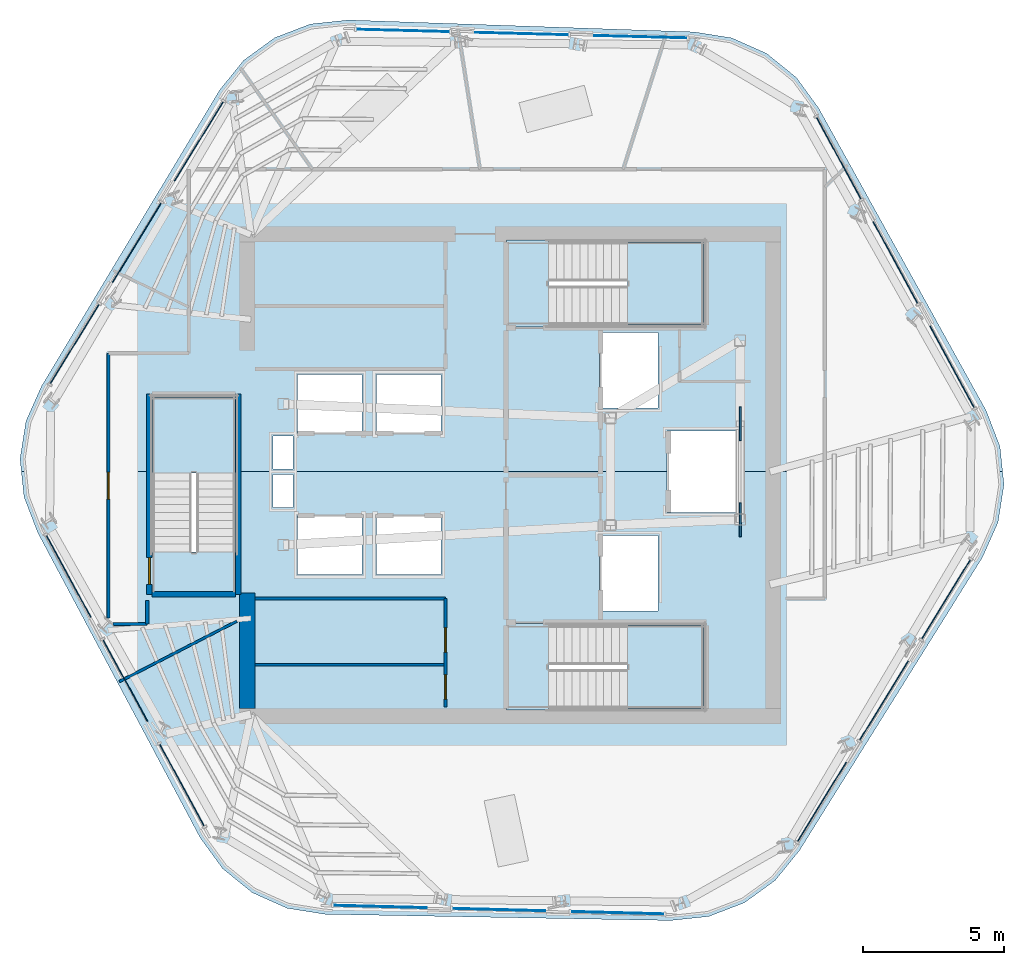
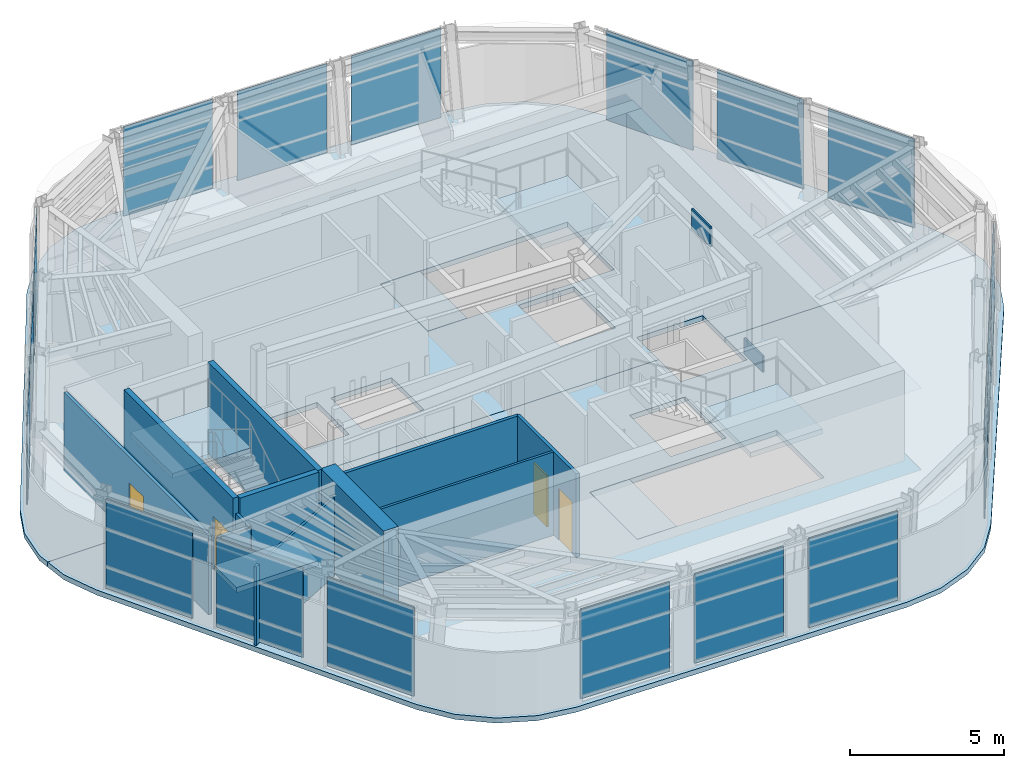
# One storey, part 6 of 13: 20 plates, 11 walls, 8 slabs, 4 doors, 4 openings, 9 elements without a shape of their own.
"""IFC4 building model written with IfcOpenShell, lengths in metres."""

from ifc_helpers import new_model, si_unit, direction, frame, frame_2d, origin, origin_2d, place, context, subcontext, project, spatial, polyline, rectangle, outline, extrude, material, layer, layer_set, type_object, element, fill, aggregate, save


model = new_model("IFC4")

# Units and contexts
model_context = context("Model", 3, precision=1e-05, world=origin(), true_north=direction((0.0, 1.0)))
body_context = subcontext(model_context, "Body", "Model", "MODEL_VIEW")
ifc_project = project(units=[si_unit("LENGTHUNIT", "METRE"), si_unit("AREAUNIT", "SQUARE_METRE"), si_unit("VOLUMEUNIT", "CUBIC_METRE"), si_unit("PLANEANGLEUNIT", "RADIAN"), si_unit("MASSUNIT", "GRAM", prefix="KILO")], contexts=[model_context])

# Site, building, storey
site_placement = place(None, origin())
site = spatial("IfcSite", under=ifc_project, at=site_placement, CompositionType="ELEMENT")
building_placement = place(site_placement, origin())
building = spatial("IfcBuilding", under=site, at=building_placement, Name="Valkerne Bourse Tower", CompositionType="ELEMENT")
storey_placement = place(building_placement, frame((0.0, 0.0, 277.39990234375)))
storey = spatial("IfcBuildingStorey", under=building, at=storey_placement, Name="L70", CompositionType="ELEMENT", Elevation=277.39990234375)

# Curtain wall, plates
ifc_material_1 = material(Name="Aluminium AA 6063-T6", Category="aluminium")
ifc_layer_1 = layer(ifc_material_1, 0.2451171875)
ifc_layer_set_1 = layer_set([ifc_layer_1], Name="Aluminium AA 6063-T6")
curtain_wall_type = type_object("IfcCurtainWallType", Name="CW-05", PredefinedType="NOTDEFINED", material=ifc_layer_set_1)
curtain_wall_1_placement = place(storey_placement, origin())
curtain_wall_1 = element("IfcCurtainWall", 1, at=curtain_wall_1_placement, inside=storey, type_object=curtain_wall_type, Name="L70 Hexagonal Stick Curtain Wall Face 1", PredefinedType="NOTDEFINED")
ifc_material_2 = material(Name="Glass IGU Low-E Double Glazed", Category="glass")
ifc_layer_2 = layer(ifc_material_2, 0.031982421875)
ifc_layer_set_2 = layer_set([ifc_layer_2], Name="Glass IGU Low-E Double Glazed")
plate_type_1 = type_object("IfcPlateType", Name="CW-PNL-IGU-32", PredefinedType="CURTAIN_PANEL", material=ifc_layer_set_2)
plate_1_placement = place(storey_placement, frame((51.417236328125, 42.423095703125, 0.030029296875), z_axis=(0.0, 0.0, 1.0), x_axis=(-0.999657687956, 0.026163082979, 0.0)))
plate_1 = element("IfcPlate", 2, at=plate_1_placement, type_object=plate_type_1, Name="CW-L70-F1 Curtain Panel 00", PredefinedType="CURTAIN_PANEL", context=body_context, shape_type="SweptSolid", body=[
    extrude(rectangle(XDim=3.2919921875, YDim=0.031982421875, at=origin_2d()), origin(), (0.0, 0.0, 1.0), 3.5400390625),
])
plate_2_placement = place(storey_placement, frame((47.206787109375, 42.533447265625, 0.030029296875), z_axis=(0.0, 0.0, 1.0), x_axis=(-0.999657050456, 0.026187429674, 0.0)))
plate_2 = element("IfcPlate", 3, at=plate_2_placement, type_object=plate_type_1, Name="CW-L70-F1 Curtain Panel 01", PredefinedType="CURTAIN_PANEL", context=body_context, shape_type="SweptSolid", body=[
    extrude(rectangle(XDim=3.2919921875, YDim=0.031982421875, at=origin_2d()), origin(), (0.0, 0.0, 1.0), 3.5400390625),
])
plate_3_placement = place(storey_placement, frame((42.99609375, 42.643798828125, 0.030029296875), z_axis=(0.0, 0.0, 1.0), x_axis=(-0.999657687956, 0.026163082979, 0.0)))
plate_3 = element("IfcPlate", 4, at=plate_3_placement, type_object=plate_type_1, Name="CW-L70-F1 Curtain Panel 02", PredefinedType="CURTAIN_PANEL", context=body_context, shape_type="SweptSolid", body=[
    extrude(rectangle(XDim=3.2919921875, YDim=0.031982421875, at=origin_2d()), origin(), (0.0, 0.0, 1.0), 3.5400390625),
])
aggregate(curtain_wall_1, [plate_1, plate_2, plate_3])

curtain_wall_2_placement = place(storey_placement, origin())
curtain_wall_2 = element("IfcCurtainWall", 5, at=curtain_wall_2_placement, inside=storey, type_object=curtain_wall_type, Name="L70 Hexagonal Stick Curtain Wall Face 2", PredefinedType="NOTDEFINED")
plate_4_placement = place(storey_placement, frame((35.751953125, 38.710205078125, 0.030029296875), z_axis=(0.0, 0.0, 1.0), x_axis=(-0.522506940942, -0.852635031339, 0.0)))
plate_4 = element("IfcPlate", 6, at=plate_4_placement, type_object=plate_type_1, Name="CW-L70-F2 Curtain Panel 00", PredefinedType="CURTAIN_PANEL", context=body_context, shape_type="SweptSolid", body=[
    extrude(rectangle(XDim=3.2919921875, YDim=0.031982421875, at=origin_2d()), origin(), (0.0, 0.0, 1.0), 3.5400390625),
])
plate_5_placement = place(storey_placement, frame((33.551025390625, 35.118896484375, 0.030029296875), z_axis=(0.0, 0.0, 1.0), x_axis=(-0.522489680728, -0.852645608405, 0.0)))
plate_5 = element("IfcPlate", 7, at=plate_5_placement, type_object=plate_type_1, Name="CW-L70-F2 Curtain Panel 01", PredefinedType="CURTAIN_PANEL", context=body_context, shape_type="SweptSolid", body=[
    extrude(rectangle(XDim=3.2919921875, YDim=0.031982421875, at=origin_2d()), origin(), (0.0, 0.0, 1.0), 3.5400390625),
])
plate_6_placement = place(storey_placement, frame((31.350341796875, 31.527587890625, 0.030029296875), z_axis=(0.0, 0.0, 1.0), x_axis=(-0.522496364011, -0.852641512944, 0.0)))
plate_6 = element("IfcPlate", 8, at=plate_6_placement, type_object=plate_type_1, Name="CW-L70-F2 Curtain Panel 02", PredefinedType="CURTAIN_PANEL", context=body_context, shape_type="SweptSolid", body=[
    extrude(rectangle(XDim=3.2919921875, YDim=0.031982421875, at=origin_2d()), origin(), (0.0, 0.0, 1.0), 3.5400390625),
])
aggregate(curtain_wall_2, [plate_4, plate_5, plate_6])

curtain_wall_3_placement = place(storey_placement, origin())
curtain_wall_3 = element("IfcCurtainWall", 9, at=curtain_wall_3_placement, inside=storey, type_object=curtain_wall_type, Name="L70 Hexagonal Stick Curtain Wall Face 3", PredefinedType="NOTDEFINED")
plate_7_placement = place(storey_placement, frame((31.134521484375, 23.287109375, 0.030029296875), z_axis=(0.0, 0.0, 1.0), x_axis=(0.477157876868, -0.878817592304, 0.0)))
plate_7 = element("IfcPlate", 10, at=plate_7_placement, type_object=plate_type_1, Name="CW-L70-F3 Curtain Panel 00", PredefinedType="CURTAIN_PANEL", context=body_context, shape_type="SweptSolid", body=[
    extrude(rectangle(XDim=3.2919921875, YDim=0.031982421875, at=origin_2d()), origin(), (0.0, 0.0, 1.0), 3.5400390625),
])
plate_8_placement = place(storey_placement, frame((33.144287109375, 19.585693359375, 0.030029296875), z_axis=(0.0, 0.0, 1.0), x_axis=(0.477157876868, -0.878817592304, 0.0)))
plate_8 = element("IfcPlate", 11, at=plate_8_placement, type_object=plate_type_1, Name="CW-L70-F3 Curtain Panel 01", PredefinedType="CURTAIN_PANEL", context=body_context, shape_type="SweptSolid", body=[
    extrude(rectangle(XDim=3.2919921875, YDim=0.031982421875, at=origin_2d()), origin(), (0.0, 0.0, 1.0), 3.5400390625),
])
plate_9_placement = place(storey_placement, frame((35.154052734375, 15.884033203125, 0.030029296875), z_axis=(0.0, 0.0, 1.0), x_axis=(0.477157876868, -0.878817592304, 0.0)))
plate_9 = element("IfcPlate", 12, at=plate_9_placement, type_object=plate_type_1, Name="CW-L70-F3 Curtain Panel 02", PredefinedType="CURTAIN_PANEL", context=body_context, shape_type="SweptSolid", body=[
    extrude(rectangle(XDim=3.2919921875, YDim=0.031982421875, at=origin_2d()), origin(), (0.0, 0.0, 1.0), 3.5400390625),
])
aggregate(curtain_wall_3, [plate_7, plate_8, plate_9])

curtain_wall_4_placement = place(storey_placement, origin())
curtain_wall_4 = element("IfcCurtainWall", 13, at=curtain_wall_4_placement, inside=storey, type_object=curtain_wall_type, Name="L70 Hexagonal Stick Curtain Wall Face 4", PredefinedType="NOTDEFINED")
plate_10_placement = place(storey_placement, frame((42.1826171875, 11.576904296875, 0.030029296875), z_axis=(0.0, 0.0, 1.0), x_axis=(0.999657687956, -0.026163082979, 0.0)))
plate_10 = element("IfcPlate", 14, at=plate_10_placement, type_object=plate_type_1, Name="CW-L70-F4 Curtain Panel 00", PredefinedType="CURTAIN_PANEL", context=body_context, shape_type="SweptSolid", body=[
    extrude(rectangle(XDim=3.2919921875, YDim=0.031982421875, at=origin_2d()), origin(), (0.0, 0.0, 1.0), 3.5400390625),
])
plate_11_placement = place(storey_placement, frame((46.393310546875, 11.466552734375, 0.030029296875), z_axis=(0.0, 0.0, 1.0), x_axis=(0.999657050456, -0.026187429674, 0.0)))
plate_11 = element("IfcPlate", 15, at=plate_11_placement, type_object=plate_type_1, Name="CW-L70-F4 Curtain Panel 01", PredefinedType="CURTAIN_PANEL", context=body_context, shape_type="SweptSolid", body=[
    extrude(rectangle(XDim=3.2919921875, YDim=0.031982421875, at=origin_2d()), origin(), (0.0, 0.0, 1.0), 3.5400390625),
])
plate_12_placement = place(storey_placement, frame((50.603759765625, 11.356201171875, 0.030029296875), z_axis=(0.0, 0.0, 1.0), x_axis=(0.999657687956, -0.026163082979, 0.0)))
plate_12 = element("IfcPlate", 16, at=plate_12_placement, type_object=plate_type_1, Name="CW-L70-F4 Curtain Panel 02", PredefinedType="CURTAIN_PANEL", context=body_context, shape_type="SweptSolid", body=[
    extrude(rectangle(XDim=3.2919921875, YDim=0.031982421875, at=origin_2d()), origin(), (0.0, 0.0, 1.0), 3.5400390625),
])
aggregate(curtain_wall_4, [plate_10, plate_11, plate_12])

curtain_wall_5_placement = place(storey_placement, origin())
curtain_wall_5 = element("IfcCurtainWall", 17, at=curtain_wall_5_placement, inside=storey, type_object=curtain_wall_type, Name="L70 Hexagonal Stick Curtain Wall Face 5", PredefinedType="NOTDEFINED")
plate_13_placement = place(storey_placement, frame((57.84814453125, 15.289794921875, 0.030029296875), z_axis=(0.0, 0.0, 1.0), x_axis=(0.522506940942, 0.852635031339, 0.0)))
plate_13 = element("IfcPlate", 18, at=plate_13_placement, type_object=plate_type_1, Name="CW-L70-F5 Curtain Panel 00", PredefinedType="CURTAIN_PANEL", context=body_context, shape_type="SweptSolid", body=[
    extrude(rectangle(XDim=3.2919921875, YDim=0.031982421875, at=origin_2d()), origin(), (0.0, 0.0, 1.0), 3.5400390625),
])
plate_14_placement = place(storey_placement, frame((60.049072265625, 18.881103515625, 0.030029296875), z_axis=(0.0, 0.0, 1.0), x_axis=(0.522489680728, 0.852645608405, 0.0)))
plate_14 = element("IfcPlate", 19, at=plate_14_placement, type_object=plate_type_1, Name="CW-L70-F5 Curtain Panel 01", PredefinedType="CURTAIN_PANEL", context=body_context, shape_type="SweptSolid", body=[
    extrude(rectangle(XDim=3.2919921875, YDim=0.031982421875, at=origin_2d()), origin(), (0.0, 0.0, 1.0), 3.5400390625),
])
plate_15_placement = place(storey_placement, frame((62.249755859375, 22.472412109375, 0.030029296875), z_axis=(0.0, 0.0, 1.0), x_axis=(0.522496364011, 0.852641512944, 0.0)))
plate_15 = element("IfcPlate", 20, at=plate_15_placement, type_object=plate_type_1, Name="CW-L70-F5 Curtain Panel 02", PredefinedType="CURTAIN_PANEL", context=body_context, shape_type="SweptSolid", body=[
    extrude(rectangle(XDim=3.2919921875, YDim=0.031982421875, at=origin_2d()), origin(), (0.0, 0.0, 1.0), 3.5400390625),
])
aggregate(curtain_wall_5, [plate_13, plate_14, plate_15])

curtain_wall_6_placement = place(storey_placement, origin())
curtain_wall_6 = element("IfcCurtainWall", 21, at=curtain_wall_6_placement, inside=storey, type_object=curtain_wall_type, Name="L70 Hexagonal Stick Curtain Wall Face 6", PredefinedType="NOTDEFINED")
plate_16_placement = place(storey_placement, frame((62.465576171875, 30.712890625, 0.030029296875), z_axis=(0.0, 0.0, 1.0), x_axis=(-0.477157876868, 0.878817592304, 0.0)))
plate_16 = element("IfcPlate", 22, at=plate_16_placement, type_object=plate_type_1, Name="CW-L70-F6 Curtain Panel 00", PredefinedType="CURTAIN_PANEL", context=body_context, shape_type="SweptSolid", body=[
    extrude(rectangle(XDim=3.2919921875, YDim=0.031982421875, at=origin_2d()), origin(), (0.0, 0.0, 1.0), 3.5400390625),
])
plate_17_placement = place(storey_placement, frame((60.455810546875, 34.414306640625, 0.030029296875), z_axis=(0.0, 0.0, 1.0), x_axis=(-0.477157876868, 0.878817592304, 0.0)))
plate_17 = element("IfcPlate", 23, at=plate_17_placement, type_object=plate_type_1, Name="CW-L70-F6 Curtain Panel 01", PredefinedType="CURTAIN_PANEL", context=body_context, shape_type="SweptSolid", body=[
    extrude(rectangle(XDim=3.2919921875, YDim=0.031982421875, at=origin_2d()), origin(), (0.0, 0.0, 1.0), 3.5400390625),
])
plate_18_placement = place(storey_placement, frame((58.44580078125, 38.115966796875, 0.030029296875), z_axis=(0.0, 0.0, 1.0), x_axis=(-0.477157876868, 0.878817592304, 0.0)))
plate_18 = element("IfcPlate", 24, at=plate_18_placement, type_object=plate_type_1, Name="CW-L70-F6 Curtain Panel 02", PredefinedType="CURTAIN_PANEL", context=body_context, shape_type="SweptSolid", body=[
    extrude(rectangle(XDim=3.2919921875, YDim=0.031982421875, at=origin_2d()), origin(), (0.0, 0.0, 1.0), 3.5400390625),
])
aggregate(curtain_wall_6, [plate_16, plate_17, plate_18])

# Plates
ifc_material_3 = material(Name="Steel ASTM A572 Grade 50", Category="steel")
ifc_layer_3 = layer(ifc_material_3, 0.06005859375)
ifc_layer_set_3 = layer_set([ifc_layer_3], Name="Steel ASTM A572 Grade 50")
plate_type_2 = type_object("IfcPlateType", Name="PLT-GUS-60", PredefinedType="SHEET", material=ifc_layer_set_3)
for number, where, z_axis, x_axis, name in (
    (25, (54.949951171875, 25.300048828125, -0.1796875), (0.0, 0.0, 1.0), (0.0, 1.0, 0.0), "L70 Brace Node Gusset Plate PLT-GUS-END-L70-456"),
    (26, (54.949951171875, 28.699951171875, 2.89404296875), (0.0, 0.0, 1.0), (0.0, 1.0, 0.0), "L70 Brace Node Gusset Plate PLT-GUS-END-L70-457"),
):
    element("IfcPlate", number, at=place(storey_placement, frame(where, z_axis=z_axis, x_axis=x_axis)), inside=storey, type_object=plate_type_2, Name=name, PredefinedType="SHEET", context=body_context, shape_type="SweptSolid", body=[
        extrude(rectangle(XDim=1.199951171875, YDim=0.06005859375, at=origin_2d()), origin(), (0.0, 0.0, 1.0), 0.800048828125),
    ])

# Slabs
ifc_material_4 = material(Name="Concrete C40/50", Category="concrete")
ifc_layer_4 = layer(ifc_material_4, 0.25)
ifc_layer_set_4 = layer_set([ifc_layer_4], Name="Concrete C40/50")
slab_type_1 = type_object("IfcSlabType", Name="SLB-RMP-LND-250", PredefinedType="LANDING", material=ifc_layer_set_4)
slab_1_placement = place(storey_placement, frame((0.0, 0.0, -0.199951171875)))
element("IfcSlab", 27, at=slab_1_placement, inside=storey, type_object=slab_type_1, Name="L70 ST-1 Floor Landing Slab", PredefinedType="LANDING", context=body_context, shape_type="SweptSolid", body=[
    extrude(outline(polyline([(46.669921875, 18.5400390625), (48.14990234375, 18.5400390625), (48.14990234375, 21.610107421875), (46.669921875, 21.610107421875), (46.669921875, 18.5400390625)])), origin(), (0.0, 0.0, 1.0), 0.199951171875),
])
slab_2_placement = place(storey_placement, frame((0.0, 0.0, -0.199951171875)))
element("IfcSlab", 28, at=slab_2_placement, inside=storey, type_object=slab_type_1, Name="L70 ST-2 Floor Landing Slab", PredefinedType="LANDING", context=body_context, shape_type="SweptSolid", body=[
    extrude(outline(polyline([(46.669921875, 32.139892578125), (48.14990234375, 32.139892578125), (48.14990234375, 35.2099609375), (46.669921875, 35.2099609375), (46.669921875, 32.139892578125)])), origin(), (0.0, 0.0, 1.0), 0.199951171875),
])
slab_3_placement = place(storey_placement, frame((0.0, 0.0, -0.199951171875)))
element("IfcSlab", 29, at=slab_3_placement, inside=storey, type_object=slab_type_1, Name="L70 ST-3 Floor Landing Slab", PredefinedType="LANDING", context=body_context, shape_type="SweptSolid", body=[
    extrude(outline(polyline([(37.110107421875, 22.669921875), (37.110107421875, 24.14990234375), (34.0400390625, 24.14990234375), (34.0400390625, 22.669921875), (37.110107421875, 22.669921875)])), origin(), (0.0, 0.0, 1.0), 0.199951171875),
])

# Stair, slab
stair_type = type_object("IfcStairType", Name="ST-CORE-1400", PredefinedType="HALF_TURN_STAIR", material=ifc_material_4)
stair_1_placement = place(storey_placement, origin())
stair_1 = element("IfcStair", 30, at=stair_1_placement, inside=storey, type_object=stair_type, Name="L70 ST-1", PredefinedType="HALF_TURN_STAIR")
ifc_layer_5 = layer(ifc_material_4, 0.179931640625)
ifc_layer_set_5 = layer_set([ifc_layer_5], Name="Concrete C40/50")
slab_type_2 = type_object("IfcSlabType", Name="SLB-ST-LND-180", PredefinedType="LANDING", material=ifc_layer_set_5)
slab_4_placement = place(storey_placement, frame((0.0, 0.0, 1.7001953125)))
slab_4 = element("IfcSlab", 31, at=slab_4_placement, type_object=slab_type_2, Name="ST-1 landing 1", PredefinedType="LANDING", context=body_context, shape_type="SweptSolid", body=[
    extrude(outline(polyline([(50.949951171875, 18.60009765625), (53.64990234375, 18.60009765625), (53.64990234375, 21.550048828125), (50.949951171875, 21.550048828125), (50.949951171875, 18.60009765625)])), origin(), (0.0, 0.0, 1.0), 0.199951171875),
])
aggregate(stair_1, [slab_4])

stair_2_placement = place(storey_placement, origin())
stair_2 = element("IfcStair", 32, at=stair_2_placement, inside=storey, type_object=stair_type, Name="L70 ST-2", PredefinedType="HALF_TURN_STAIR")
slab_5_placement = place(storey_placement, frame((0.0, 0.0, 1.7001953125)))
slab_5 = element("IfcSlab", 33, at=slab_5_placement, type_object=slab_type_2, Name="ST-2 landing 1", PredefinedType="LANDING", context=body_context, shape_type="SweptSolid", body=[
    extrude(outline(polyline([(50.949951171875, 32.199951171875), (53.64990234375, 32.199951171875), (53.64990234375, 35.14990234375), (50.949951171875, 35.14990234375), (50.949951171875, 32.199951171875)])), origin(), (0.0, 0.0, 1.0), 0.199951171875),
])
aggregate(stair_2, [slab_5])

stair_3_placement = place(storey_placement, origin())
stair_3 = element("IfcStair", 34, at=stair_3_placement, inside=storey, type_object=stair_type, Name="L70 ST-3", PredefinedType="HALF_TURN_STAIR")
slab_6_placement = place(storey_placement, frame((0.0, 0.0, 1.7001953125)))
slab_6 = element("IfcSlab", 35, at=slab_6_placement, type_object=slab_type_2, Name="ST-3 landing 1", PredefinedType="LANDING", context=body_context, shape_type="SweptSolid", body=[
    extrude(outline(polyline([(37.050048828125, 26.949951171875), (37.050048828125, 29.64990234375), (34.10009765625, 29.64990234375), (34.10009765625, 26.949951171875), (37.050048828125, 26.949951171875)])), origin(), (0.0, 0.0, 1.0), 0.199951171875),
])
aggregate(stair_3, [slab_6])

# Slabs
ifc_layer_6 = layer(ifc_material_4, 0.199951171875)
ifc_layer_set_6 = layer_set([ifc_layer_6], Name="Concrete C40/50")
slab_type_3 = type_object("IfcSlabType", Name="SLB-TOW-200", PredefinedType="FLOOR", material=ifc_layer_set_6)
slab_7_placement = place(storey_placement, frame((0.0, 0.0, -0.199951171875)))
element("IfcSlab", 36, at=slab_7_placement, inside=storey, type_object=slab_type_3, Name="L70 Hexagonal Composite Floor Slab S", PredefinedType="FLOOR", context=body_context, shape_type="SweptSolid", body=[
    extrude(outline(polyline([(64.306396484375, 26.54150390625), (64.093994140625, 25.20068359375), (63.541748046875, 23.960693359375), (57.052978515625, 13.565185546875), (56.19873046875, 12.510498046875), (55.100341796875, 11.71240234375), (53.8330078125, 11.22607421875), (52.483154296875, 11.083984375), (40.230712890625, 11.303955078125), (38.889892578125, 11.51611328125), (37.64990234375, 12.068359375), (36.594970703125, 12.922607421875), (35.797119140625, 14.020751953125), (30.038818359375, 24.837890625), (29.55224609375, 26.105224609375), (29.458251953125, 27.0), (34.034912109375, 27.0), (34.034912109375, 22.6650390625), (37.114990234375, 22.6650390625), (37.114990234375, 27.0), (52.360107421875, 27.0), (52.360107421875, 25.56005859375), (54.840087890625, 25.56005859375), (54.840087890625, 27.0), (64.258056640625, 27.0), (64.306396484375, 26.54150390625)]), holes=[polyline([(39.260009765625, 25.43994140625), (39.260009765625, 23.360107421875), (41.5400390625, 23.360107421875), (41.5400390625, 25.43994140625), (39.260009765625, 25.43994140625)]), polyline([(44.340087890625, 25.43994140625), (42.06005859375, 25.43994140625), (42.06005859375, 23.360107421875), (44.340087890625, 23.360107421875), (44.340087890625, 25.43994140625)]), polyline([(38.3798828125, 26.89990234375), (38.3798828125, 25.72998046875), (39.10009765625, 25.72998046875), (39.10009765625, 26.89990234375), (38.3798828125, 26.89990234375)]), polyline([(46.6650390625, 21.614990234375), (46.6650390625, 18.534912109375), (53.675048828125, 18.534912109375), (53.675048828125, 21.614990234375), (46.6650390625, 21.614990234375)]), polyline([(52.0400390625, 24.739990234375), (49.9599609375, 24.739990234375), (49.9599609375, 22.06005859375), (52.0400390625, 22.06005859375), (52.0400390625, 24.739990234375)])]), origin(), (0.0, 0.0, 1.0), 0.199951171875),
])
slab_8_placement = place(storey_placement, frame((0.0, 0.0, -0.199951171875)))
element("IfcSlab", 37, at=slab_8_placement, inside=storey, type_object=slab_type_3, Name="L70 Hexagonal Composite Floor Slab N", PredefinedType="FLOOR", context=body_context, shape_type="SweptSolid", body=[
    extrude(outline(polyline([(64.164306640625, 27.8916015625), (64.258056640625, 27.0), (54.840087890625, 27.0), (54.840087890625, 28.43994140625), (52.360107421875, 28.43994140625), (52.360107421875, 27.0), (37.114990234375, 27.0), (37.114990234375, 29.675048828125), (34.034912109375, 29.675048828125), (34.034912109375, 27.0), (29.458251953125, 27.0), (29.410400390625, 27.455322265625), (29.622802734375, 28.796142578125), (30.1748046875, 30.0361328125), (36.491455078125, 40.537109375), (37.345703125, 41.59228515625), (38.44384765625, 42.39013671875), (39.711181640625, 42.87646484375), (41.061279296875, 43.018310546875), (53.308349609375, 42.5966796875), (54.64892578125, 42.38427734375), (55.88916015625, 41.832275390625), (56.944091796875, 40.977783203125), (57.741943359375, 39.879638671875), (63.677978515625, 29.158935546875), (64.164306640625, 27.8916015625)]), holes=[polyline([(39.10009765625, 28.27001953125), (38.3798828125, 28.27001953125), (38.3798828125, 27.10009765625), (39.10009765625, 27.10009765625), (39.10009765625, 28.27001953125)]), polyline([(41.5400390625, 30.43994140625), (39.260009765625, 30.43994140625), (39.260009765625, 28.360107421875), (41.5400390625, 28.360107421875), (41.5400390625, 30.43994140625)]), polyline([(42.06005859375, 30.43994140625), (42.06005859375, 28.360107421875), (44.340087890625, 28.360107421875), (44.340087890625, 30.43994140625), (42.06005859375, 30.43994140625)]), polyline([(52.0400390625, 31.93994140625), (49.9599609375, 31.93994140625), (49.9599609375, 29.260009765625), (52.0400390625, 29.260009765625), (52.0400390625, 31.93994140625)]), polyline([(53.675048828125, 35.215087890625), (46.6650390625, 35.215087890625), (46.6650390625, 32.135009765625), (53.675048828125, 32.135009765625), (53.675048828125, 35.215087890625)])]), origin(), (0.0, 0.0, 1.0), 0.199951171875),
])

# Wall
ifc_material_5 = material(Name="Concrete C55/67", Category="concrete")
ifc_layer_7 = layer(ifc_material_5, 0.550048828125)
ifc_layer_set_7 = layer_set([ifc_layer_7], Name="Concrete C55/67")
wall_type_1 = type_object("IfcWallType", Name="W-CORE-550", PredefinedType="SHEAR", material=ifc_layer_set_7)
wall_1_placement = place(storey_placement, frame((37.47509765625, 18.60009765625, 0.0), z_axis=(0.0, 0.0, 1.0), x_axis=(0.0, 1.0, 0.0)))
element("IfcWall", 38, at=wall_1_placement, inside=storey, type_object=wall_type_1, Name="L70 Core Shear Wall WEST-S", PredefinedType="SHEAR", context=body_context, shape_type="SweptSolid", body=[
    extrude(rectangle(XDim=4.099853515625, YDim=0.550048828125, at=frame_2d((2.0498046875, 0.0))), origin(), (0.0, 0.0, 1.0), 3.60009765625),
])

# Wall, openings, doors
ifc_material_6 = material(Name="Gypsum Board Steel-Stud Partition", Category="steel")
ifc_layer_8 = layer(ifc_material_6, 0.117919921875)
ifc_layer_set_8 = layer_set([ifc_layer_8], Name="Gypsum Board Steel-Stud Partition")
wall_type_2 = type_object("IfcWallType", Name="W-CORR-140", PredefinedType="PARTITIONING", material=ifc_layer_set_8)
wall_2_placement = place(storey_placement, frame((44.5, 18.64990234375, 0.0), z_axis=(0.0, 0.0, 1.0), x_axis=(0.0, 1.0, 0.0)))
wall_2 = element("IfcWall", 39, at=wall_2_placement, inside=storey, type_object=wall_type_2, Name="L70 LV7 Low-Bank East Wall", PredefinedType="PARTITIONING", context=body_context, shape_type="SweptSolid", body=[
    extrude(rectangle(XDim=3.85009765625, YDim=0.117919921875, at=frame_2d((1.925048828125, 0.0))), origin(), (0.0, 0.0, 1.0), 3.300048828125),
])
opening_1_placement = place(wall_2_placement, frame((0.280029296875, 0.0, 0.0)))
opening_1 = element("IfcOpeningElement", 40, at=opening_1_placement, cuts=wall_2, Name="Opening D-WC-900", PredefinedType="OPENING", context=body_context, shape_type="SweptSolid", body=[
    extrude(rectangle(XDim=0.860107421875, YDim=2.050048828125, at=frame_2d((0.43017578125, 1.02490234375))), frame((0.0, 0.06884765625, 0.0), z_axis=(0.0, -1.0, 0.0), x_axis=(1.0, 0.0, 0.0)), (0.0, 0.0, 1.0), 0.137939453125),
])
opening_2_placement = place(wall_2_placement, frame((1.949951171875, 0.0, 0.0)))
opening_2 = element("IfcOpeningElement", 41, at=opening_2_placement, cuts=wall_2, Name="Opening D-WC-900", PredefinedType="OPENING", context=body_context, shape_type="SweptSolid", body=[
    extrude(rectangle(XDim=0.860107421875, YDim=2.050048828125, at=frame_2d((0.43017578125, 1.02490234375))), frame((0.0, 0.06884765625, 0.0), z_axis=(0.0, -1.0, 0.0), x_axis=(1.0, 0.0, 0.0)), (0.0, 0.0, 1.0), 0.137939453125),
])
ifc_material_7 = material(Name="Architectural White Oak Timber", Category="wood")
door_type_1 = type_object("IfcDoorType", Name="DR-WC-900", OperationType="NOTDEFINED", PredefinedType="DOOR", material=ifc_material_7)
door_1_placement = place(opening_1_placement, origin())
door_1 = element("IfcDoor", 42, at=door_1_placement, inside=storey, type_object=door_type_1, Name="L70 Tea Pantry Door", OperationType="SINGLE_SWING_RIGHT", OverallHeight=2.050048828125, OverallWidth=0.860107421875, PredefinedType="DOOR", context=body_context, shape_type="SweptSolid", body=[
    extrude(rectangle(XDim=0.860107421875, YDim=2.050048828125, at=frame_2d((0.43017578125, 1.02490234375))), frame((0.0, 0.02490234375, 0.0), z_axis=(0.0, -1.0, 0.0), x_axis=(1.0, 0.0, 0.0)), (0.0, 0.0, 1.0), 0.050048828125),
])
fill(opening_1, door_1)
door_2_placement = place(opening_2_placement, origin())
door_2 = element("IfcDoor", 43, at=door_2_placement, inside=storey, type_object=door_type_1, Name="L70 Portfolio Risk Office Door", OperationType="SINGLE_SWING_RIGHT", OverallHeight=2.050048828125, OverallWidth=0.860107421875, PredefinedType="DOOR", context=body_context, shape_type="SweptSolid", body=[
    extrude(rectangle(XDim=0.860107421875, YDim=2.050048828125, at=frame_2d((0.43017578125, 1.02490234375))), frame((0.0, 0.02490234375, 0.0), z_axis=(0.0, -1.0, 0.0), x_axis=(1.0, 0.0, 0.0)), (0.0, 0.0, 1.0), 0.050048828125),
])
fill(opening_2, door_2)

# Walls
wall_3_placement = place(storey_placement, frame((37.75, 22.5, 0.0), z_axis=(0.0, 0.0, 1.0), x_axis=(1.0, 0.0, 0.0)))
element("IfcWall", 44, at=wall_3_placement, inside=storey, type_object=wall_type_2, Name="L70 LV7 Low-Bank North Wall", PredefinedType="PARTITIONING", context=body_context, shape_type="SweptSolid", body=[
    extrude(rectangle(XDim=6.75, YDim=0.117919921875, at=frame_2d((3.375, 0.0))), origin(), (0.0, 0.0, 1.0), 3.300048828125),
])
wall_4_placement = place(storey_placement, frame((33.91796875, 22.43994140625, 0.0), z_axis=(0.0, 0.0, 1.0), x_axis=(0.002325575107, -0.999997295847, 0.0)))
element("IfcWall", 45, at=wall_4_placement, inside=storey, type_object=wall_type_2, Name="L70 Corridor Enclosure Wall", PredefinedType="PARTITIONING", context=body_context, shape_type="SweptSolid", body=[
    extrude(rectangle(XDim=0.83984375, YDim=0.117919921875, at=frame_2d((0.419921875, 0.0))), origin(), (0.0, 0.0, 1.0), 3.1328125),
])
wall_5_placement = place(storey_placement, frame((33.919921875, 21.60009765625, 0.0), z_axis=(0.0, 0.0, 1.0), x_axis=(-1.0, 0.0, 0.0)))
element("IfcWall", 46, at=wall_5_placement, inside=storey, type_object=wall_type_2, Name="L70 Corridor Enclosure Wall", PredefinedType="PARTITIONING", context=body_context, shape_type="SweptSolid", body=[
    extrude(rectangle(XDim=1.21630859375, YDim=0.117919921875, at=frame_2d((0.608154296875, 0.0))), origin(), (0.0, 0.0, 1.0), 3.1328125),
])

# Wall, opening, door
wall_6_placement = place(storey_placement, frame((32.550048828125, 21.806396484375, 0.0), z_axis=(0.0, 0.0, 1.0), x_axis=(0.0, 1.0, 0.0)))
wall_6 = element("IfcWall", 47, at=wall_6_placement, inside=storey, type_object=wall_type_2, Name="L70 Corridor Enclosure Wall", PredefinedType="PARTITIONING", context=body_context, shape_type="SweptSolid", body=[
    extrude(rectangle(XDim=9.3935546875, YDim=0.117919921875, at=frame_2d((4.69677734375, 0.0))), origin(), (0.0, 0.0, 1.0), 3.114990234375),
])
opening_3_placement = place(wall_6_placement, frame((4.2216796875, 0.0, 0.0)))
opening_3 = element("IfcOpeningElement", 48, at=opening_3_placement, cuts=wall_6, Name="Opening D-OF-950", PredefinedType="OPENING", context=body_context, shape_type="SweptSolid", body=[
    extrude(rectangle(XDim=0.949951171875, YDim=2.10009765625, at=frame_2d((0.47509765625, 1.050048828125))), frame((0.0, 0.06884765625, 0.0), z_axis=(0.0, -1.0, 0.0), x_axis=(1.0, 0.0, 0.0)), (0.0, 0.0, 1.0), 0.137939453125),
])
door_type_2 = type_object("IfcDoorType", Name="DR-OFF-950", OperationType="NOTDEFINED", PredefinedType="DOOR", material=ifc_material_7)
door_3_placement = place(opening_3_placement, origin())
door_3 = element("IfcDoor", 49, at=door_3_placement, inside=storey, type_object=door_type_2, Name="L70 L70 Occupational Wellness Clinic 5 Door", OperationType="SINGLE_SWING_RIGHT", OverallHeight=2.10009765625, OverallWidth=0.949951171875, PredefinedType="DOOR", context=body_context, shape_type="SweptSolid", body=[
    extrude(rectangle(XDim=0.949951171875, YDim=2.10009765625, at=frame_2d((0.47509765625, 1.050048828125))), frame((0.0, 0.02490234375, 0.0), z_axis=(0.0, -1.0, 0.0), x_axis=(1.0, 0.0, 0.0)), (0.0, 0.0, 1.0), 0.050048828125),
])
fill(opening_3, door_3)

# Walls
ifc_layer_9 = layer(ifc_material_6, 0.092041015625)
ifc_layer_set_9 = layer_set([ifc_layer_9], Name="Gypsum Board Steel-Stud Partition")
wall_type_3 = type_object("IfcWallType", Name="W-PART-115", PredefinedType="PARTITIONING", material=ifc_layer_set_9)
wall_7_placement = place(storey_placement, frame((37.75, 20.14990234375, 0.0), z_axis=(0.0, 0.0, 1.0), x_axis=(1.0, 0.0, 0.0)))
element("IfcWall", 50, at=wall_7_placement, inside=storey, type_object=wall_type_3, Name="L70 LV7 Low-Bank Sub-Divider", PredefinedType="PARTITIONING", context=body_context, shape_type="SweptSolid", body=[
    extrude(rectangle(XDim=6.75, YDim=0.092041015625, at=frame_2d((3.375, 0.0))), origin(), (0.0, 0.0, 1.0), 3.300048828125),
])
wall_8_placement = place(storey_placement, frame((37.10009765625, 21.698486328125, 0.0), z_axis=(0.0, 0.0, 1.0), x_axis=(-0.889127397188, -0.457659777094, 0.0)))
element("IfcWall", 51, at=wall_8_placement, inside=storey, type_object=wall_type_3, Name="L70 Suite Partition P05", PredefinedType="PARTITIONING", context=body_context, shape_type="SweptSolid", body=[
    extrude(rectangle(XDim=4.6884765625, YDim=0.092041015625, at=frame_2d((2.34423828125, 0.0))), origin(), (0.0, 0.0, 1.0), 3.114990234375),
])

# Wall, opening, door
ifc_layer_10 = layer(ifc_material_4, 0.199951171875)
ifc_layer_set_10 = layer_set([ifc_layer_10], Name="Concrete C40/50")
wall_type_4 = type_object("IfcWallType", Name="W-SHF-200", PredefinedType="SHEAR", material=ifc_layer_set_10)
wall_9_placement = place(storey_placement, frame((34.0, 22.64990234375, 0.0), z_axis=(0.0, 0.0, 1.0), x_axis=(0.0, 1.0, 0.0)))
wall_9 = element("IfcWall", 52, at=wall_9_placement, inside=storey, type_object=wall_type_4, Name="L70 Exit Stair ST-3 Structural Shaft Wall West", PredefinedType="SHEAR", context=body_context, shape_type="SweptSolid", body=[
    extrude(rectangle(XDim=7.10009765625, YDim=0.199951171875, at=frame_2d((3.550048828125, 0.0))), origin(), (0.0, 0.0, 1.0), 3.60009765625),
])
opening_4_placement = place(wall_9_placement, frame((0.35009765625, 0.0, 0.0)))
opening_4 = element("IfcOpeningElement", 53, at=opening_4_placement, cuts=wall_9, Name="Opening D-ST-950", PredefinedType="OPENING", context=body_context, shape_type="SweptSolid", body=[
    extrude(rectangle(XDim=0.949951171875, YDim=2.10009765625, at=frame_2d((0.47509765625, 1.050048828125))), frame((0.0, 0.10986328125, 0.0), z_axis=(0.0, -1.0, 0.0), x_axis=(1.0, 0.0, 0.0)), (0.0, 0.0, 1.0), 0.219970703125),
])
ifc_material_8 = material(Name="Galvanised Painted Steel", Category="steel")
door_type_3 = type_object("IfcDoorType", Name="DR-STAIR-950", OperationType="NOTDEFINED", PredefinedType="DOOR", material=ifc_material_8)
door_4_placement = place(opening_4_placement, origin())
door_4 = element("IfcDoor", 54, at=door_4_placement, inside=storey, type_object=door_type_3, Name="L70 Exit Stair ST-3 Door", OperationType="SINGLE_SWING_RIGHT", OverallHeight=2.10009765625, OverallWidth=0.949951171875, PredefinedType="DOOR", context=body_context, shape_type="SweptSolid", body=[
    extrude(rectangle(XDim=0.949951171875, YDim=2.10009765625, at=frame_2d((0.47509765625, 1.050048828125))), frame((0.0, 0.02490234375, 0.0), z_axis=(0.0, -1.0, 0.0), x_axis=(1.0, 0.0, 0.0)), (0.0, 0.0, 1.0), 0.050048828125),
])
fill(opening_4, door_4)

# Walls
wall_10_placement = place(storey_placement, frame((34.10009765625, 22.64990234375, 0.0), z_axis=(0.0, 0.0, 1.0), x_axis=(1.0, 0.0, 0.0)))
element("IfcWall", 55, at=wall_10_placement, inside=storey, type_object=wall_type_4, Name="L70 Exit Stair ST-3 Structural Shaft Wall South", PredefinedType="SHEAR", context=body_context, shape_type="SweptSolid", body=[
    extrude(rectangle(XDim=2.949951171875, YDim=0.199951171875, at=frame_2d((1.47509765625, 0.0))), origin(), (0.0, 0.0, 1.0), 3.60009765625),
])
wall_11_placement = place(storey_placement, frame((37.14990234375, 22.64990234375, 0.0), z_axis=(0.0, 0.0, 1.0), x_axis=(0.0, 1.0, 0.0)))
element("IfcWall", 56, at=wall_11_placement, inside=storey, type_object=wall_type_4, Name="L70 Exit Stair ST-3 Structural Shaft Wall East", PredefinedType="SHEAR", context=body_context, shape_type="SweptSolid", body=[
    extrude(rectangle(XDim=7.10009765625, YDim=0.199951171875, at=frame_2d((3.550048828125, 0.0))), origin(), (0.0, 0.0, 1.0), 3.60009765625),
])

save(model, "model.ifc")
